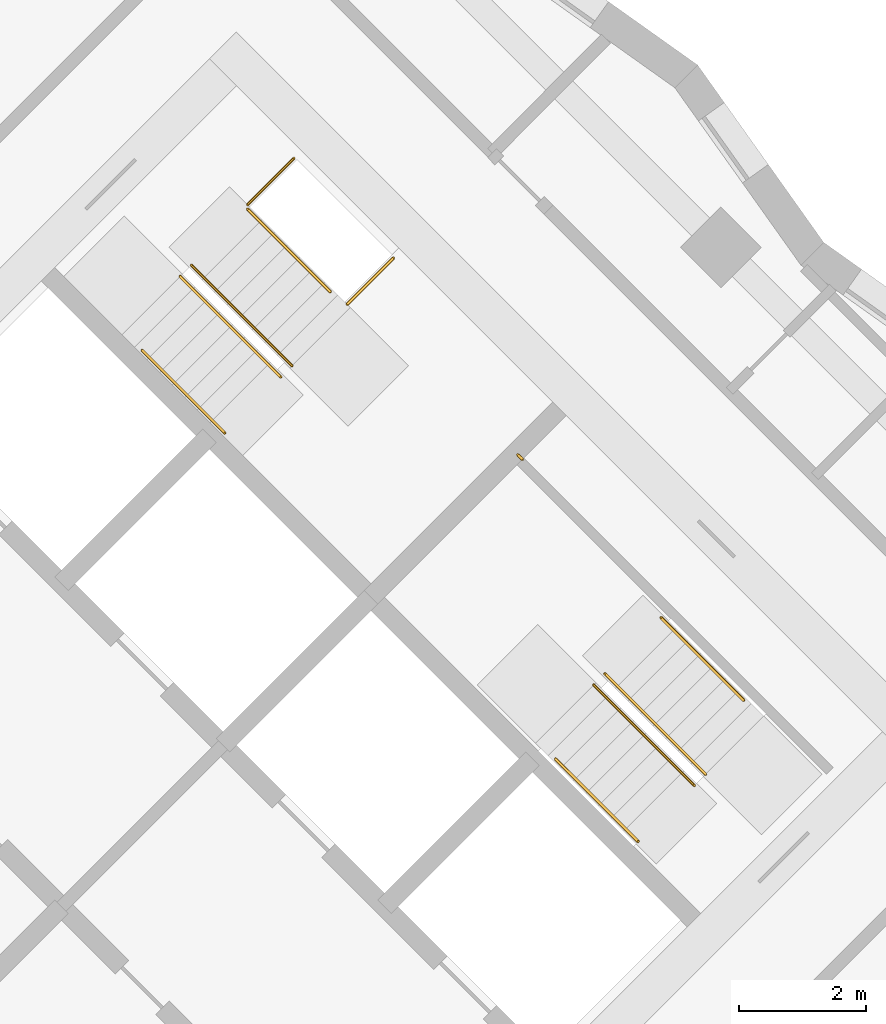
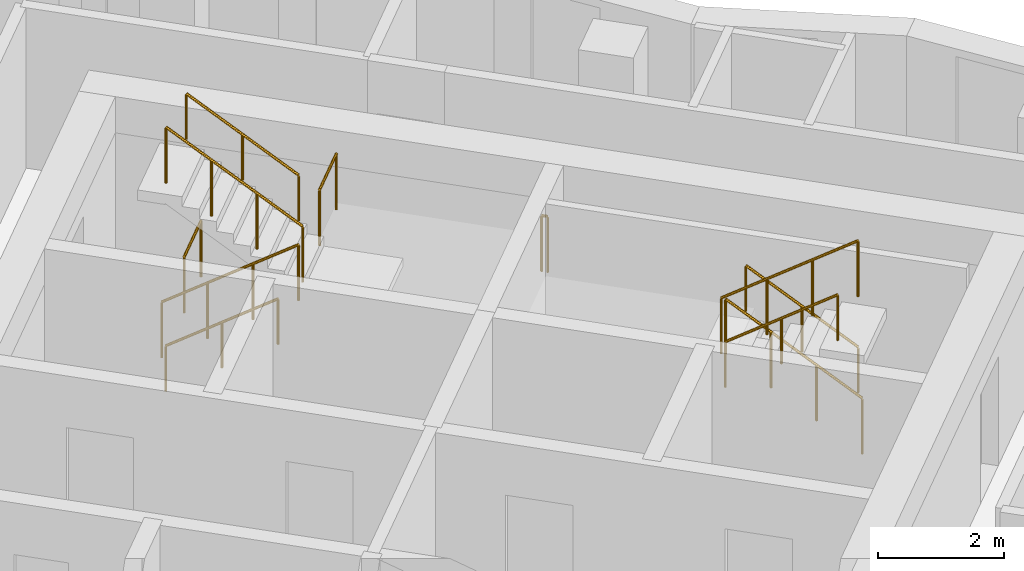
# One storey, part 12 of 12: 11 railings.
"""IFC4 building model written with IfcOpenShell, lengths in metres."""

from ifc_helpers import new_model, si_unit, direction, frame, origin, origin_2d, place, context, subcontext, project, spatial, circle, extrude, material, type_object, element, save


model = new_model("IFC4")

# Units and contexts
model_context = context("Model", 3, precision=1e-05, world=origin(), true_north=direction((0.0, 1.0)))
body_context = subcontext(model_context, "Body", "Model", "MODEL_VIEW")
ifc_project = project(units=[si_unit("LENGTHUNIT", "METRE"), si_unit("AREAUNIT", "SQUARE_METRE"), si_unit("VOLUMEUNIT", "CUBIC_METRE"), si_unit("PLANEANGLEUNIT", "RADIAN"), si_unit("MASSUNIT", "GRAM", prefix="KILO")], contexts=[model_context])

# Site, building, storey
site_placement = place(None, origin())
site = spatial("IfcSite", under=ifc_project, at=site_placement, CompositionType="ELEMENT")
building_placement = place(site_placement, origin())
building = spatial("IfcBuilding", under=site, at=building_placement, Name="Windrow Commons", CompositionType="ELEMENT")
storey_placement = place(building_placement, frame((0.0, 0.0, 166.0)))
storey = spatial("IfcBuildingStorey", under=building, at=storey_placement, Name="L45", CompositionType="ELEMENT", Elevation=166.0)

# Railings
ifc_material_1 = material(Name="Steel S355", Category="steel")
railing_type_1 = type_object("IfcRailingType", Name="Core stair guard 1100", PredefinedType="GUARDRAIL", material=ifc_material_1)
railing_1_placement = place(storey_placement, frame((85.9529, 56.2669, 0.1889)))
element("IfcRailing", 1, at=railing_1_placement, inside=storey, type_object=railing_type_1, Name="L45 ST-B1 stair guard 1", PredefinedType="GUARDRAIL", context=body_context, shape_type="SweptSolid", body=[
    extrude(circle(Radius=0.024, at=origin_2d()), frame((0.0, 0.0, 1.076), z_axis=(0.5861914914, -0.5861914914, 0.5592486664), x_axis=(0.7071067812, 0.7071067812, 0.0)), (0.0, 0.0, 1.0), 2.702),
    extrude(circle(Radius=0.021, at=origin_2d()), origin(), (0.0, 0.0, 1.0), 1.052),
    extrude(circle(Radius=0.021, at=origin_2d()), frame((0.528, -0.528, 0.5037)), (0.0, 0.0, 1.0), 1.052),
    extrude(circle(Radius=0.021, at=origin_2d()), frame((1.0559, -1.0559, 1.0074)), (0.0, 0.0, 1.0), 1.052),
    extrude(circle(Radius=0.021, at=origin_2d()), frame((1.5839, -1.5839, 1.5111)), (0.0, 0.0, 1.0), 1.052),
])
railing_2_placement = place(storey_placement, frame((87.7136, 54.8597, 1.8889)))
element("IfcRailing", 2, at=railing_2_placement, inside=storey, type_object=railing_type_1, Name="L45 ST-B1 stair guard 2", PredefinedType="GUARDRAIL", context=body_context, shape_type="SweptSolid", body=[
    extrude(circle(Radius=0.024, at=origin_2d()), frame((0.0, 0.0, 1.076), z_axis=(-0.5862030657, 0.5862030657, 0.5592244018), x_axis=(-0.7071067812, -0.7071067812, 0.0)), (0.0, 0.0, 1.0), 2.7021),
    extrude(circle(Radius=0.021, at=origin_2d()), origin(), (0.0, 0.0, 1.0), 1.052),
    extrude(circle(Radius=0.021, at=origin_2d()), frame((-0.528, 0.528, 0.5037)), (0.0, 0.0, 1.0), 1.052),
    extrude(circle(Radius=0.021, at=origin_2d()), frame((-1.056, 1.056, 1.0074)), (0.0, 0.0, 1.0), 1.052),
    extrude(circle(Radius=0.021, at=origin_2d()), frame((-1.584, 1.584, 1.5111)), (0.0, 0.0, 1.0), 1.052),
])
railing_3_placement = place(storey_placement, frame((87.0135, 57.3982, 0.0)))
element("IfcRailing", 3, at=railing_3_placement, inside=storey, type_object=railing_type_1, Name="L45 ST-B1 stair guard 3", PredefinedType="GUARDRAIL", context=body_context, shape_type="SweptSolid", body=[
    extrude(circle(Radius=0.024, at=origin_2d()), frame((0.0, 0.0, 1.076), z_axis=(0.7070582378, 0.7071553212, 0.0), x_axis=(-0.7071553212, 0.7070582378, 0.0)), (0.0, 0.0, 1.0), 1.03),
    extrude(circle(Radius=0.021, at=origin_2d()), origin(), (0.0, 0.0, 1.0), 1.052),
    extrude(circle(Radius=0.021, at=origin_2d()), frame((0.7283, 0.7284, 0.0)), (0.0, 0.0, 1.0), 1.052),
])
railing_4_placement = place(storey_placement, frame((88.5833, 55.8285, 1.7)))
element("IfcRailing", 4, at=railing_4_placement, inside=storey, type_object=railing_type_1, Name="L45 ST-B1 stair guard 4", PredefinedType="GUARDRAIL", context=body_context, shape_type="SweptSolid", body=[
    extrude(circle(Radius=0.024, at=origin_2d()), frame((0.0, 0.0, 1.076), z_axis=(0.7071067812, 0.7071067812, 0.0), x_axis=(-0.7071067812, 0.7071067812, 0.0)), (0.0, 0.0, 1.0), 1.03),
    extrude(circle(Radius=0.021, at=origin_2d()), origin(), (0.0, 0.0, 1.0), 1.052),
    extrude(circle(Radius=0.021, at=origin_2d()), frame((0.7283, 0.7283, 0.0)), (0.0, 0.0, 1.0), 1.052),
])
railing_5_placement = place(storey_placement, frame((94.2296, 48.4215, 0.1889)))
element("IfcRailing", 5, at=railing_5_placement, inside=storey, type_object=railing_type_1, Name="L45 ST-B2 stair guard 1", PredefinedType="GUARDRAIL", context=body_context, shape_type="SweptSolid", body=[
    extrude(circle(Radius=0.024, at=origin_2d()), frame((0.0, 0.0, 1.076), z_axis=(-0.5862157828, 0.5861787742, 0.5592365337), x_axis=(-0.7070844598, -0.7071291018, 0.0)), (0.0, 0.0, 1.0), 2.7021),
    extrude(circle(Radius=0.021, at=origin_2d()), origin(), (0.0, 0.0, 1.0), 1.052),
    extrude(circle(Radius=0.021, at=origin_2d()), frame((-0.528, 0.528, 0.5037)), (0.0, 0.0, 1.0), 1.052),
    extrude(circle(Radius=0.021, at=origin_2d()), frame((-1.056, 1.0559, 1.0074)), (0.0, 0.0, 1.0), 1.052),
    extrude(circle(Radius=0.021, at=origin_2d()), frame((-1.584, 1.5839, 1.5111)), (0.0, 0.0, 1.0), 1.052),
])
railing_6_placement = place(storey_placement, frame((92.4689, 49.8287, 1.8889)))
element("IfcRailing", 6, at=railing_6_placement, inside=storey, type_object=railing_type_1, Name="L45 ST-B2 stair guard 2", PredefinedType="GUARDRAIL", context=body_context, shape_type="SweptSolid", body=[
    extrude(circle(Radius=0.024, at=origin_2d()), frame((0.0, 0.0, 1.076), z_axis=(0.5861787742, -0.5862157828, 0.5592365337), x_axis=(0.7071291018, 0.7070844598, 0.0)), (0.0, 0.0, 1.0), 2.7021),
    extrude(circle(Radius=0.021, at=origin_2d()), origin(), (0.0, 0.0, 1.0), 1.052),
    extrude(circle(Radius=0.021, at=origin_2d()), frame((0.528, -0.528, 0.5037)), (0.0, 0.0, 1.0), 1.052),
    extrude(circle(Radius=0.021, at=origin_2d()), frame((1.0559, -1.056, 1.0074)), (0.0, 0.0, 1.0), 1.052),
    extrude(circle(Radius=0.021, at=origin_2d()), frame((1.5839, -1.584, 1.5111)), (0.0, 0.0, 1.0), 1.052),
])
railing_7_placement = place(storey_placement, frame((91.3446, 53.3854, 1.7)))
element("IfcRailing", 7, at=railing_7_placement, inside=storey, type_object=railing_type_1, Name="L45 ST-B2 stair guard 3", PredefinedType="GUARDRAIL", context=body_context, shape_type="SweptSolid", body=[
    extrude(circle(Radius=0.024, at=origin_2d()), frame((0.0, 0.0, 1.076), z_axis=(-0.7076063266, 0.7066068826, 0.0), x_axis=(-0.7066068826, -0.7076063266, 0.0)), (0.0, 0.0, 1.0), 0.1001),
    extrude(circle(Radius=0.021, at=origin_2d()), origin(), (0.0, 0.0, 1.0), 1.052),
    extrude(circle(Radius=0.021, at=origin_2d()), frame((-0.0708, 0.0707, 0.0)), (0.0, 0.0, 1.0), 1.052),
])
ifc_material_2 = material(Name="Steel S355", Category="steel")
railing_type_2 = type_object("IfcRailingType", Name="Core stair handrail 900", PredefinedType="HANDRAIL", material=ifc_material_2)
railing_8_placement = place(storey_placement, frame((85.3518, 55.1001, 0.4587)))
element("IfcRailing", 8, at=railing_8_placement, inside=storey, type_object=railing_type_2, Name="L45 ST-B1 stair handrail 1", PredefinedType="HANDRAIL", context=body_context, shape_type="SweptSolid", body=[
    extrude(circle(Radius=0.024, at=origin_2d()), frame((0.0, 0.0, 0.876), z_axis=(0.586206706, -0.5861616513, 0.5592639952), x_axis=(0.7070796062, 0.7071339551, 0.0)), (0.0, 0.0, 1.0), 2.2195),
    extrude(circle(Radius=0.021, at=origin_2d()), origin(), (0.0, 0.0, 1.0), 0.852),
    extrude(circle(Radius=0.021, at=origin_2d()), frame((0.6506, -0.6505, 0.6206)), (0.0, 0.0, 1.0), 0.852),
    extrude(circle(Radius=0.021, at=origin_2d()), frame((1.3011, -1.301, 1.2413)), (0.0, 0.0, 1.0), 0.852),
])
for number, where, name in (
    (9, (88.3146, 56.0265, 2.1587), "L45 ST-B1 stair handrail 2"),
    (10, (94.8306, 49.5883, 0.4587), "L45 ST-B2 stair handrail 1"),
):
    element("IfcRailing", number, at=place(storey_placement, frame(where)), inside=storey, type_object=railing_type_2, Name=name, PredefinedType="HANDRAIL", context=body_context, shape_type="SweptSolid", body=[
        extrude(circle(Radius=0.024, at=origin_2d()), frame((0.0, 0.0, 0.876), z_axis=(-0.586206706, 0.5861616513, 0.5592639952), x_axis=(-0.7070796062, -0.7071339551, 0.0)), (0.0, 0.0, 1.0), 2.2195),
        extrude(circle(Radius=0.021, at=origin_2d()), origin(), (0.0, 0.0, 1.0), 0.852),
        extrude(circle(Radius=0.021, at=origin_2d()), frame((-0.6506, 0.6505, 0.6206)), (0.0, 0.0, 1.0), 0.852),
        extrude(circle(Radius=0.021, at=origin_2d()), frame((-1.3011, 1.301, 1.2413)), (0.0, 0.0, 1.0), 0.852),
    ])
railing_9_placement = place(storey_placement, frame((91.8678, 48.6619, 2.1587)))
element("IfcRailing", 11, at=railing_9_placement, inside=storey, type_object=railing_type_2, Name="L45 ST-B2 stair handrail 2", PredefinedType="HANDRAIL", context=body_context, shape_type="SweptSolid", body=[
    extrude(circle(Radius=0.024, at=origin_2d()), frame((0.0, 0.0, 0.876), z_axis=(0.586206706, -0.5861616513, 0.5592639952), x_axis=(0.7070796062, 0.7071339551, 0.0)), (0.0, 0.0, 1.0), 2.2195),
    extrude(circle(Radius=0.021, at=origin_2d()), origin(), (0.0, 0.0, 1.0), 0.852),
    extrude(circle(Radius=0.021, at=origin_2d()), frame((0.6505, -0.6505, 0.6206)), (0.0, 0.0, 1.0), 0.852),
    extrude(circle(Radius=0.021, at=origin_2d()), frame((1.3011, -1.301, 1.2413)), (0.0, 0.0, 1.0), 0.852),
])

save(model, "model.ifc")
